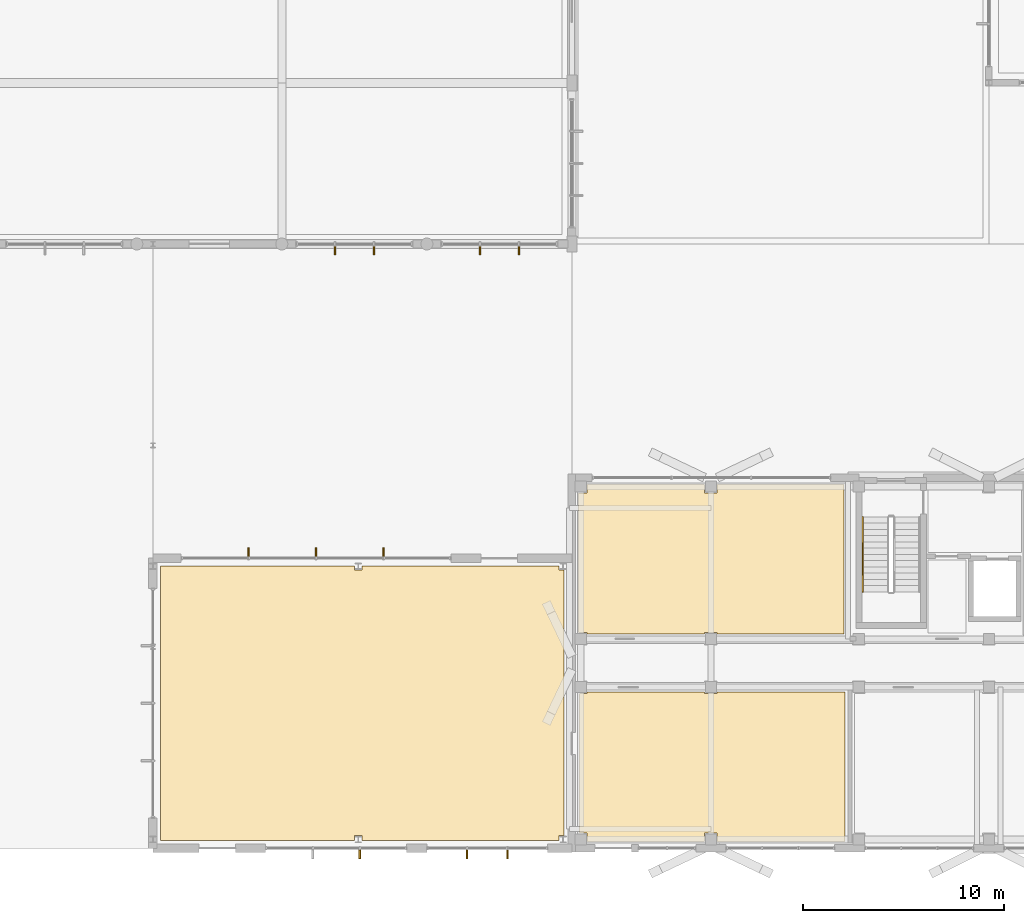
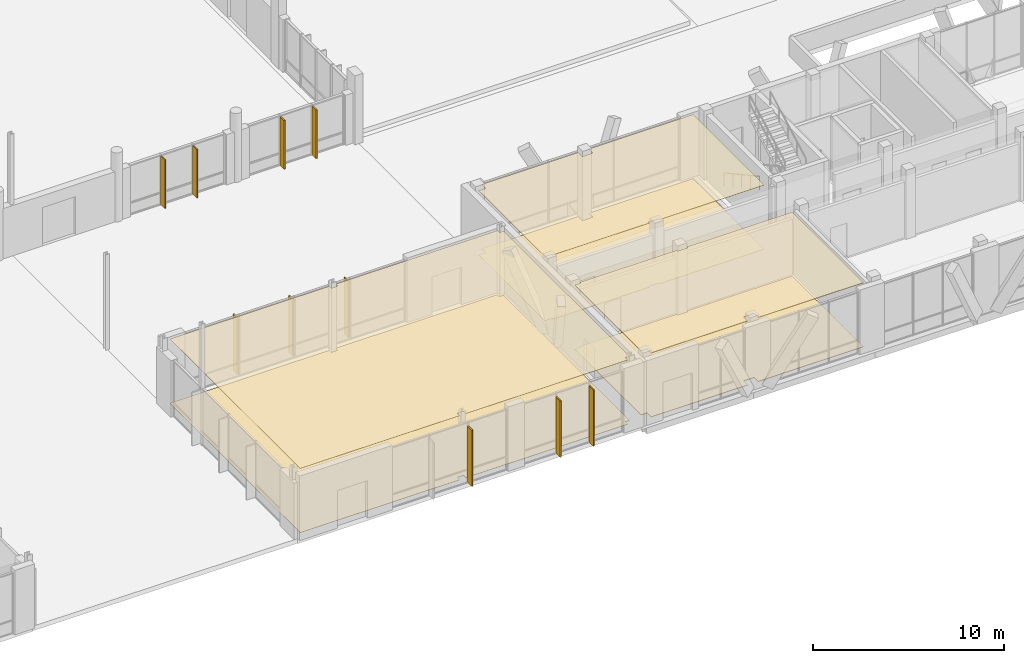
# One storey, part 216 of 233: 10 shading devices, 6 coverings, 1 railing.
"""IFC4 building model written with IfcOpenShell, lengths in metres."""

from ifc_helpers import new_model, si_unit, direction, frame, origin, origin_2d, place, context, subcontext, project, spatial, polyline, rectangle, outline, extrude, material, layer, layer_set, type_object, element, save


model = new_model("IFC4")

# Units and contexts
model_context = context("Model", 3, precision=1e-05, world=origin(), true_north=direction((0.0, 1.0)))
body_context = subcontext(model_context, "Body", "Model", "MODEL_VIEW")
ifc_project = project(units=[si_unit("LENGTHUNIT", "METRE"), si_unit("AREAUNIT", "SQUARE_METRE"), si_unit("VOLUMEUNIT", "CUBIC_METRE"), si_unit("PLANEANGLEUNIT", "RADIAN"), si_unit("MASSUNIT", "GRAM", prefix="KILO")], contexts=[model_context])

# Site, building, storey
site_placement = place(None, origin())
site = spatial("IfcSite", under=ifc_project, at=site_placement, CompositionType="ELEMENT")
building_placement = place(site_placement, origin())
building = spatial("IfcBuilding", under=site, at=building_placement, Name="Zavelmont Quarter", CompositionType="ELEMENT")
storey_placement = place(building_placement, origin())
storey = spatial("IfcBuildingStorey", under=building, at=storey_placement, Name="L00", CompositionType="ELEMENT", Elevation=0.0)

# Coverings
ifc_material_1 = material(Name="Perforated acoustic gypsum board")
ifc_layer_1 = layer(ifc_material_1, 0.02490234375)
ifc_layer_set_1 = layer_set([ifc_layer_1], Name="Perforated acoustic gypsum board")
covering_type_1 = type_object("IfcCoveringType", Name="CV-CL01", PredefinedType="CEILING", material=ifc_layer_set_1)
covering_1_placement = place(storey_placement, frame((0.0, 0.0, 4.094970703125)))
element("IfcCovering", 1, at=covering_1_placement, inside=storey, type_object=covering_type_1, Name="L00 Meter and Telecom Room acoustic ceiling", PredefinedType="CEILING", context=body_context, shape_type="SweptSolid", body=[
    extrude(outline(polyline([(113.1298828125, 17.64501953125), (113.554931640625, 17.64501953125), (113.554931640625, 18.070068359375), (119.385009765625, 18.070068359375), (119.385009765625, 17.64501953125), (120.014892578125, 17.64501953125), (120.014892578125, 18.070068359375), (126.320068359375, 18.070068359375), (126.320068359375, 10.6298828125), (120.014892578125, 10.6298828125), (120.014892578125, 10.715087890625), (119.385009765625, 10.715087890625), (119.385009765625, 10.6298828125), (113.554931640625, 10.6298828125), (113.554931640625, 10.715087890625), (113.1298828125, 10.715087890625), (113.1298828125, 17.64501953125)])), origin(), (0.0, 0.0, 1.0), 0.025146484375),
])
covering_2_placement = place(storey_placement, frame((0.0, 0.0, 4.094970703125)))
element("IfcCovering", 2, at=covering_2_placement, inside=storey, type_object=covering_type_1, Name="L00 Bakery Shop acoustic ceiling", PredefinedType="CEILING", context=body_context, shape_type="SweptSolid", body=[
    extrude(outline(polyline([(92.3798828125, 14.02001953125), (102.010009765625, 14.02001953125), (102.010009765625, 13.81005859375), (102.389892578125, 13.81005859375), (102.389892578125, 14.02001953125), (112.169921875, 14.02001953125), (112.169921875, 13.81005859375), (112.419921875, 13.81005859375), (112.419921875, 0.6298828125), (112.169921875, 0.6298828125), (112.169921875, 0.3798828125), (102.389892578125, 0.3798828125), (102.389892578125, 0.6298828125), (102.010009765625, 0.6298828125), (102.010009765625, 0.3798828125), (92.3798828125, 0.3798828125), (92.3798828125, 14.02001953125)])), origin(), (0.0, 0.0, 1.0), 0.025146484375),
])
ifc_material_2 = material(Name="Slatted European ash acoustic baffle ceiling")
ifc_layer_2 = layer(ifc_material_2, 0.0400390625)
ifc_layer_set_2 = layer_set([ifc_layer_2], Name="Slatted European ash acoustic baffle ceiling")
covering_type_2 = type_object("IfcCoveringType", Name="CV-CL02", PredefinedType="CEILING", material=ifc_layer_set_2)
covering_3_placement = place(storey_placement, frame((0.0, 0.0, 4.080078125)))
element("IfcCovering", 3, at=covering_3_placement, inside=storey, type_object=covering_type_2, Name="L00 Block Entrance Foyer acoustic ceiling", PredefinedType="CEILING", context=body_context, shape_type="SweptSolid", body=[
    extrude(outline(polyline([(113.179931640625, 7.68505859375), (113.554931640625, 7.68505859375), (113.554931640625, 7.77001953125), (119.385009765625, 7.77001953125), (119.385009765625, 7.68505859375), (120.014892578125, 7.68505859375), (120.014892578125, 7.77001953125), (126.3701171875, 7.77001953125), (126.3701171875, 0.330078125), (120.014892578125, 0.330078125), (120.014892578125, 0.7548828125), (119.385009765625, 0.7548828125), (119.385009765625, 0.330078125), (113.554931640625, 0.330078125), (113.554931640625, 0.7548828125), (113.179931640625, 0.7548828125), (113.179931640625, 7.68505859375)])), origin(), (0.0, 0.0, 1.0), 0.0400390625),
])
ifc_material_3 = material(Name="Engineered European oak parquet")
ifc_layer_3 = layer(ifc_material_3, 0.02197265625)
ifc_layer_set_3 = layer_set([ifc_layer_3], Name="Engineered European oak parquet")
covering_type_3 = type_object("IfcCoveringType", Name="CV-FL01", PredefinedType="FLOORING", material=ifc_layer_set_3)
covering_4_placement = place(storey_placement, origin())
element("IfcCovering", 4, at=covering_4_placement, inside=storey, type_object=covering_type_3, Name="L00 Meter and Telecom Room floor finish", PredefinedType="FLOORING", context=body_context, shape_type="SweptSolid", body=[
    extrude(outline(polyline([(113.1298828125, 17.64501953125), (113.554931640625, 17.64501953125), (113.554931640625, 18.070068359375), (119.385009765625, 18.070068359375), (119.385009765625, 17.64501953125), (120.014892578125, 17.64501953125), (120.014892578125, 18.070068359375), (126.320068359375, 18.070068359375), (126.320068359375, 10.6298828125), (120.014892578125, 10.6298828125), (120.014892578125, 10.715087890625), (119.385009765625, 10.715087890625), (119.385009765625, 10.6298828125), (113.554931640625, 10.6298828125), (113.554931640625, 10.715087890625), (113.1298828125, 10.715087890625), (113.1298828125, 17.64501953125)])), origin(), (0.0, 0.0, 1.0), 0.02197265625),
])
covering_5_placement = place(storey_placement, origin())
element("IfcCovering", 5, at=covering_5_placement, inside=storey, type_object=covering_type_3, Name="L00 Bakery Shop floor finish", PredefinedType="FLOORING", context=body_context, shape_type="SweptSolid", body=[
    extrude(outline(polyline([(92.3798828125, 14.02001953125), (102.010009765625, 14.02001953125), (102.010009765625, 13.81005859375), (102.389892578125, 13.81005859375), (102.389892578125, 14.02001953125), (112.169921875, 14.02001953125), (112.169921875, 13.81005859375), (112.419921875, 13.81005859375), (112.419921875, 0.6298828125), (112.169921875, 0.6298828125), (112.169921875, 0.3798828125), (102.389892578125, 0.3798828125), (102.389892578125, 0.6298828125), (102.010009765625, 0.6298828125), (102.010009765625, 0.3798828125), (92.3798828125, 0.3798828125), (92.3798828125, 14.02001953125)])), origin(), (0.0, 0.0, 1.0), 0.02197265625),
])
ifc_material_4 = material(Name="Honed Belgian bluestone tile", Category="masonry")
ifc_layer_4 = layer(ifc_material_4, 0.030029296875)
ifc_layer_set_4 = layer_set([ifc_layer_4], Name="Honed Belgian bluestone tile")
covering_type_4 = type_object("IfcCoveringType", Name="CV-FL02", PredefinedType="FLOORING", material=ifc_layer_set_4)
covering_6_placement = place(storey_placement, origin())
element("IfcCovering", 6, at=covering_6_placement, inside=storey, type_object=covering_type_4, Name="L00 Block Entrance Foyer floor finish", PredefinedType="FLOORING", context=body_context, shape_type="SweptSolid", body=[
    extrude(outline(polyline([(113.179931640625, 7.68505859375), (113.554931640625, 7.68505859375), (113.554931640625, 7.77001953125), (119.385009765625, 7.77001953125), (119.385009765625, 7.68505859375), (120.014892578125, 7.68505859375), (120.014892578125, 7.77001953125), (126.3701171875, 7.77001953125), (126.3701171875, 0.330078125), (120.014892578125, 0.330078125), (120.014892578125, 0.7548828125), (119.385009765625, 0.7548828125), (119.385009765625, 0.330078125), (113.554931640625, 0.330078125), (113.554931640625, 0.7548828125), (113.179931640625, 0.7548828125), (113.179931640625, 7.68505859375)])), origin(), (0.0, 0.0, 1.0), 0.030029296875),
])

# Railing
ifc_material_5 = material(Name="Brushed stainless-steel wall handrail", Category="steel")
railing_type = type_object("IfcRailingType", Name="RL-HND1", PredefinedType="HANDRAIL", material=ifc_material_5)
railing_placement = place(storey_placement, frame((127.25, 16.449951171875, 0.169189453125)))
element("IfcRailing", 7, at=railing_placement, inside=storey, type_object=railing_type, Name="L00 ST07 stair handrail 1", PredefinedType="HANDRAIL", context=body_context, shape_type="SweptSolid", body=[
    extrude(rectangle(XDim=0.048095703125, YDim=0.048095703125, at=origin_2d()), frame((0.0, 0.0, 0.8759765625), z_axis=(0.0, -0.877728207833, 0.479158839191), x_axis=(1.0, 0.0, 0.0)), (0.0, 0.0, 1.0), 4.23828125),
    extrude(rectangle(XDim=0.0419921875, YDim=0.0419921875, at=origin_2d()), origin(), (0.0, 0.0, 1.0), 0.851806640625),
    extrude(rectangle(XDim=0.0419921875, YDim=0.0419921875, at=origin_2d()), frame((0.0, -0.929931640625, 0.5078125)), (0.0, 0.0, 1.0), 0.851806640625),
    extrude(rectangle(XDim=0.0419921875, YDim=0.0419921875, at=origin_2d()), frame((0.0, -1.85986328125, 1.015380859375)), (0.0, 0.0, 1.0), 0.851806640625),
    extrude(rectangle(XDim=0.0419921875, YDim=0.0419921875, at=origin_2d()), frame((0.0, -2.7900390625, 1.52294921875)), (0.0, 0.0, 1.0), 0.851806640625),
    extrude(rectangle(XDim=0.0419921875, YDim=0.0419921875, at=origin_2d()), frame((0.0, -3.719970703125, 2.03076171875)), (0.0, 0.0, 1.0), 0.851806640625),
])

# Shading devices
ifc_material_6 = material(Name="Anodised aluminium EN AW-6063-T6", Category="aluminium")
shading_device_type_1 = type_object("IfcShadingDeviceType", Name="SD01", PredefinedType="JALOUSIE", material=ifc_material_6)
for number, where, z_axis, x_axis, name in (
    (8, (102.2666015625, -0.294921875, 0.050048828125), (0.0, 0.0, 1.0), (1.0, 0.0, 0.0), "L00 solar brise-soleil fin SD01"),
    (9, (107.60009765625, -0.294921875, 0.050048828125), (0.0, 0.0, 1.0), (1.0, 0.0, 0.0), "L00 solar brise-soleil fin SD01"),
    (10, (109.60009765625, -0.294921875, 0.050048828125), (0.0, 0.0, 1.0), (1.0, 0.0, 0.0), "L00 solar brise-soleil fin SD01"),
    (11, (96.75, 14.695068359375, 0.050048828125), (0.0, 0.0, 1.0), (1.0, 0.0, 0.0), "L00 solar brise-soleil fin SD01"),
    (12, (100.10009765625, 14.695068359375, 0.050048828125), (0.0, 0.0, 1.0), (1.0, 0.0, 0.0), "L00 solar brise-soleil fin SD01"),
    (13, (103.449951171875, 14.695068359375, 0.050048828125), (0.0, 0.0, 1.0), (1.0, 0.0, 0.0), "L00 solar brise-soleil fin SD01"),
):
    element("IfcShadingDevice", number, at=place(storey_placement, frame(where, z_axis=z_axis, x_axis=x_axis)), inside=storey, type_object=shading_device_type_1, Name=name, PredefinedType="JALOUSIE", context=body_context, shape_type="SweptSolid", body=[
        extrude(rectangle(XDim=0.080078125, YDim=0.449951171875, at=origin_2d()), origin(), (0.0, 0.0, 1.0), 3.60009765625),
    ])
shading_device_type_2 = type_object("IfcShadingDeviceType", Name="SD02", PredefinedType="JALOUSIE", material=ifc_material_6)
for number, where, z_axis, x_axis, name in (
    (14, (101.033203125, 29.68505859375, 0.050048828125), (0.0, 0.0, 1.0), (1.0, 0.0, 0.0), "L00 solar brise-soleil fin SD02"),
    (15, (102.966796875, 29.68505859375, 0.050048828125), (0.0, 0.0, 1.0), (1.0, 0.0, 0.0), "L00 solar brise-soleil fin SD02"),
    (16, (108.2333984375, 29.68505859375, 0.050048828125), (0.0, 0.0, 1.0), (1.0, 0.0, 0.0), "L00 solar brise-soleil fin SD02"),
    (17, (110.166748046875, 29.68505859375, 0.050048828125), (0.0, 0.0, 1.0), (1.0, 0.0, 0.0), "L00 solar brise-soleil fin SD02"),
):
    element("IfcShadingDevice", number, at=place(storey_placement, frame(where, z_axis=z_axis, x_axis=x_axis)), inside=storey, type_object=shading_device_type_2, Name=name, PredefinedType="JALOUSIE", context=body_context, shape_type="SweptSolid", body=[
        extrude(rectangle(XDim=0.080078125, YDim=0.449951171875, at=origin_2d()), origin(), (0.0, 0.0, 1.0), 3.10009765625),
    ])

save(model, "model.ifc")
